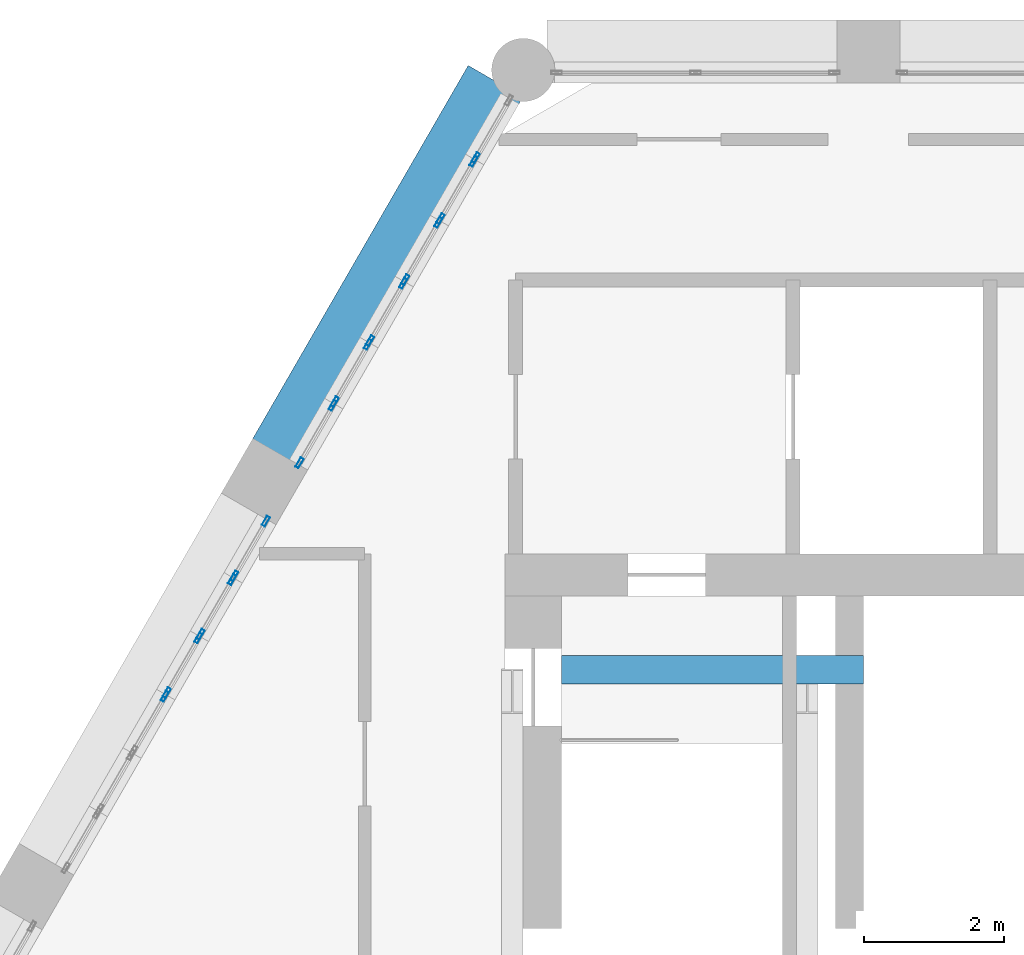
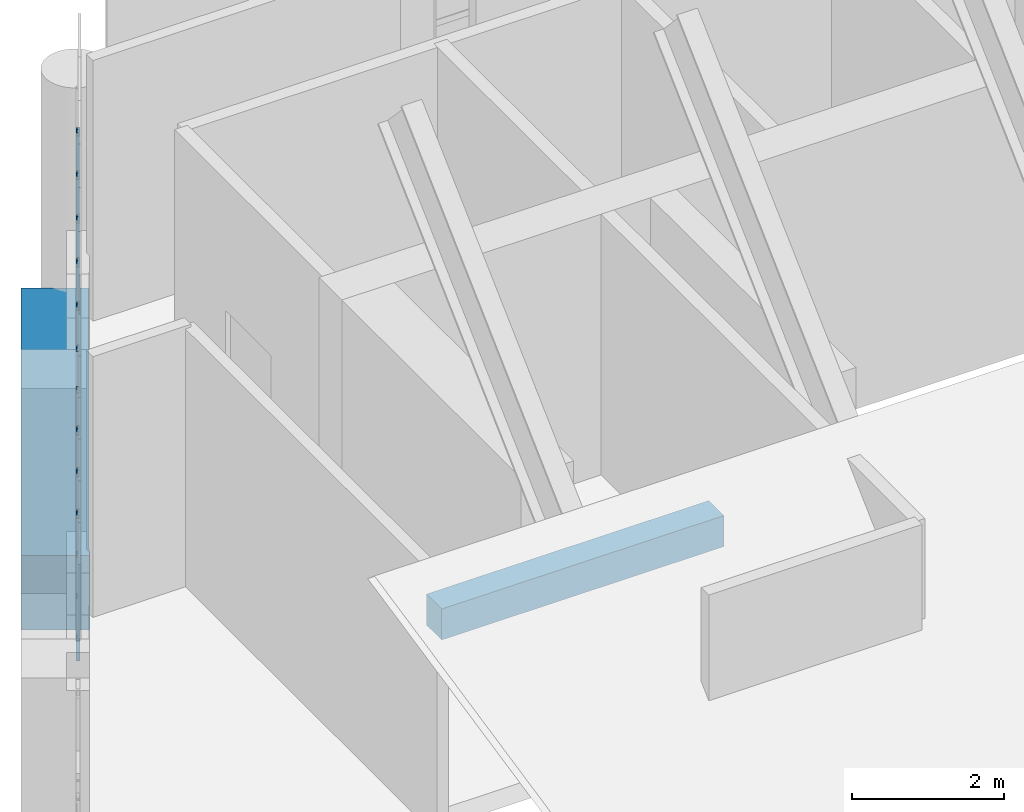
# One storey, part 4 of 16: 18 members, 2 beams, 10 elements without a shape of their own.
"""IFC4 building model written with IfcOpenShell, lengths in metres."""

from ifc_helpers import new_model, si_unit, direction, frame, origin, origin_2d, place, context, subcontext, project, spatial, rectangle, hollow_rectangle, extrude, material, material_profile, profile_set, type_object, element, aggregate, save


model = new_model("IFC4")

# Units and contexts
model_context = context("Model", 3, precision=1e-05, world=origin(), true_north=direction((0.0, 1.0)))
body_context = subcontext(model_context, "Body", "Model", "MODEL_VIEW")
ifc_project = project(units=[si_unit("LENGTHUNIT", "METRE"), si_unit("AREAUNIT", "SQUARE_METRE"), si_unit("VOLUMEUNIT", "CUBIC_METRE"), si_unit("PLANEANGLEUNIT", "RADIAN"), si_unit("MASSUNIT", "GRAM", prefix="KILO")], contexts=[model_context])

# Site, building, storey
site_placement = place(None, origin())
site = spatial("IfcSite", under=ifc_project, at=site_placement, CompositionType="ELEMENT")
building_placement = place(site_placement, origin())
building = spatial("IfcBuilding", under=site, at=building_placement, Name="Ostrander Bayou Hotel Tower", CompositionType="ELEMENT")
storey_placement = place(building_placement, frame((0.0, 0.0, 288.5)))
storey = spatial("IfcBuildingStorey", under=building, at=storey_placement, Name="L71", CompositionType="ELEMENT", Elevation=288.5)

# Curtain wall, member
ifc_material_1 = material(Name="Aluminium and clear glass", Category="aluminium")
curtain_wall_type = type_object("IfcCurtainWallType", Name="CW-CROWN glazed wall", PredefinedType="NOTDEFINED", material=ifc_material_1)
curtain_wall_1_placement = place(storey_placement, origin())
curtain_wall_1 = element("IfcCurtainWall", 1, at=curtain_wall_1_placement, inside=storey, type_object=curtain_wall_type, Name="CW-CROWN L71:NW-1-1", PredefinedType="NOTDEFINED")
ifc_material_2 = material(Name="Aluminium", Category="aluminium")
ifc_material_profile_1 = material_profile(ifc_material_2, hollow_rectangle(XDim=0.050048828125, YDim=0.14990234375, WallThickness=0.00390625, at=origin_2d()))
ifc_profile_set_1 = profile_set([ifc_material_profile_1], Name="Aluminium")
member_type = type_object("IfcMemberType", Name="CW-CR mullion 50 x 150 mm", PredefinedType="MULLION", material=ifc_profile_set_1)
member_1_placement = place(storey_placement, frame((-8.918701171875, 15.339599609375, 1.0), z_axis=(0.0, 0.0, 1.0), x_axis=(0.866026229865, -0.499998569184, 0.0)))
member_1 = element("IfcMember", 2, at=member_1_placement, type_object=member_type, Name="CW-CROWN mullion 2", PredefinedType="MULLION", context=body_context, shape_type="SweptSolid", body=[
    extrude(hollow_rectangle(XDim=0.050048828125, YDim=0.14990234375, WallThickness=0.00390625, at=origin_2d()), origin(), (0.0, 0.0, 1.0), 2.300048828125),
])
aggregate(curtain_wall_1, [member_1])

# Curtain wall, members
curtain_wall_2_placement = place(storey_placement, origin())
curtain_wall_2 = element("IfcCurtainWall", 3, at=curtain_wall_2_placement, inside=storey, type_object=curtain_wall_type, Name="CW-CROWN L71:NW-1-2", PredefinedType="NOTDEFINED")
member_2_placement = place(storey_placement, frame((-8.948486328125, 15.28759765625, 1.0), z_axis=(0.0, 0.0, 1.0), x_axis=(0.866001306597, -0.50004173523, 0.0)))
member_2 = element("IfcMember", 4, at=member_2_placement, type_object=member_type, Name="CW-CROWN mullion 1", PredefinedType="MULLION", context=body_context, shape_type="SweptSolid", body=[
    extrude(hollow_rectangle(XDim=0.050048828125, YDim=0.14990234375, WallThickness=0.00390625, at=origin_2d()), origin(), (0.0, 0.0, 1.0), 2.300048828125),
])
member_3_placement = place(storey_placement, frame((-9.420166015625, 14.470947265625, 1.0), z_axis=(0.0, 0.0, 1.0), x_axis=(0.866001306597, -0.50004173523, 0.0)))
member_3 = element("IfcMember", 5, at=member_3_placement, type_object=member_type, Name="CW-CROWN mullion 2", PredefinedType="MULLION", context=body_context, shape_type="SweptSolid", body=[
    extrude(hollow_rectangle(XDim=0.050048828125, YDim=0.14990234375, WallThickness=0.00390625, at=origin_2d()), origin(), (0.0, 0.0, 1.0), 2.300048828125),
])
aggregate(curtain_wall_2, [member_2, member_3])

curtain_wall_3_placement = place(storey_placement, origin())
curtain_wall_3 = element("IfcCurtainWall", 6, at=curtain_wall_3_placement, inside=storey, type_object=curtain_wall_type, Name="CW-CROWN L71:NW-1-3", PredefinedType="NOTDEFINED")
member_4_placement = place(storey_placement, frame((-9.4501953125, 14.4189453125, 1.0), z_axis=(0.0, 0.0, 1.0), x_axis=(0.866026229865, -0.499998569184, 0.0)))
member_4 = element("IfcMember", 7, at=member_4_placement, type_object=member_type, Name="CW-CROWN mullion 1", PredefinedType="MULLION", context=body_context, shape_type="SweptSolid", body=[
    extrude(hollow_rectangle(XDim=0.050048828125, YDim=0.14990234375, WallThickness=0.00390625, at=origin_2d()), origin(), (0.0, 0.0, 1.0), 2.300048828125),
])
member_5_placement = place(storey_placement, frame((-9.921875, 13.60205078125, 1.0), z_axis=(0.0, 0.0, 1.0), x_axis=(0.866026229865, -0.499998569184, 0.0)))
member_5 = element("IfcMember", 8, at=member_5_placement, type_object=member_type, Name="CW-CROWN mullion 2", PredefinedType="MULLION", context=body_context, shape_type="SweptSolid", body=[
    extrude(hollow_rectangle(XDim=0.050048828125, YDim=0.14990234375, WallThickness=0.00390625, at=origin_2d()), origin(), (0.0, 0.0, 1.0), 2.300048828125),
])
aggregate(curtain_wall_3, [member_4, member_5])

curtain_wall_4_placement = place(storey_placement, origin())
curtain_wall_4 = element("IfcCurtainWall", 9, at=curtain_wall_4_placement, inside=storey, type_object=curtain_wall_type, Name="CW-CROWN L71:NW-1-4", PredefinedType="NOTDEFINED")
member_6_placement = place(storey_placement, frame((-9.951904296875, 13.550048828125, 1.0), z_axis=(0.0, 0.0, 1.0), x_axis=(0.866069391736, -0.499923802893, 0.0)))
member_6 = element("IfcMember", 10, at=member_6_placement, type_object=member_type, Name="CW-CROWN mullion 1", PredefinedType="MULLION", context=body_context, shape_type="SweptSolid", body=[
    extrude(hollow_rectangle(XDim=0.050048828125, YDim=0.14990234375, WallThickness=0.00390625, at=origin_2d()), origin(), (0.0, 0.0, 1.0), 2.300048828125),
])
member_7_placement = place(storey_placement, frame((-10.42333984375, 12.7333984375, 1.0), z_axis=(0.0, 0.0, 1.0), x_axis=(0.866069391736, -0.499923802893, 0.0)))
member_7 = element("IfcMember", 11, at=member_7_placement, type_object=member_type, Name="CW-CROWN mullion 2", PredefinedType="MULLION", context=body_context, shape_type="SweptSolid", body=[
    extrude(hollow_rectangle(XDim=0.050048828125, YDim=0.14990234375, WallThickness=0.00390625, at=origin_2d()), origin(), (0.0, 0.0, 1.0), 2.300048828125),
])
aggregate(curtain_wall_4, [member_6, member_7])

curtain_wall_5_placement = place(storey_placement, origin())
curtain_wall_5 = element("IfcCurtainWall", 12, at=curtain_wall_5_placement, inside=storey, type_object=curtain_wall_type, Name="CW-CROWN L71:NW-1-5", PredefinedType="NOTDEFINED")
member_8_placement = place(storey_placement, frame((-10.453369140625, 12.681396484375, 1.0), z_axis=(0.0, 0.0, 1.0), x_axis=(0.866001306597, -0.50004173523, 0.0)))
member_8 = element("IfcMember", 13, at=member_8_placement, type_object=member_type, Name="CW-CROWN mullion 1", PredefinedType="MULLION", context=body_context, shape_type="SweptSolid", body=[
    extrude(hollow_rectangle(XDim=0.050048828125, YDim=0.14990234375, WallThickness=0.00390625, at=origin_2d()), origin(), (0.0, 0.0, 1.0), 2.300048828125),
])
member_9_placement = place(storey_placement, frame((-10.9248046875, 11.864501953125, 1.0), z_axis=(0.0, 0.0, 1.0), x_axis=(0.866001306597, -0.50004173523, 0.0)))
member_9 = element("IfcMember", 14, at=member_9_placement, type_object=member_type, Name="CW-CROWN mullion 2", PredefinedType="MULLION", context=body_context, shape_type="SweptSolid", body=[
    extrude(hollow_rectangle(XDim=0.050048828125, YDim=0.14990234375, WallThickness=0.00390625, at=origin_2d()), origin(), (0.0, 0.0, 1.0), 2.300048828125),
])
aggregate(curtain_wall_5, [member_8, member_9])

curtain_wall_6_placement = place(storey_placement, origin())
curtain_wall_6 = element("IfcCurtainWall", 15, at=curtain_wall_6_placement, inside=storey, type_object=curtain_wall_type, Name="CW-CROWN L71:NW-1-6", PredefinedType="NOTDEFINED")
member_10_placement = place(storey_placement, frame((-10.954833984375, 11.8125, 1.0), z_axis=(0.0, 0.0, 1.0), x_axis=(0.866026229865, -0.499998569184, 0.0)))
member_10 = element("IfcMember", 16, at=member_10_placement, type_object=member_type, Name="CW-CROWN mullion 1", PredefinedType="MULLION", context=body_context, shape_type="SweptSolid", body=[
    extrude(hollow_rectangle(XDim=0.050048828125, YDim=0.14990234375, WallThickness=0.00390625, at=origin_2d()), origin(), (0.0, 0.0, 1.0), 2.300048828125),
])
member_11_placement = place(storey_placement, frame((-11.426513671875, 10.995849609375, 1.0), z_axis=(0.0, 0.0, 1.0), x_axis=(0.866026229865, -0.499998569184, 0.0)))
member_11 = element("IfcMember", 17, at=member_11_placement, type_object=member_type, Name="CW-CROWN mullion 2", PredefinedType="MULLION", context=body_context, shape_type="SweptSolid", body=[
    extrude(hollow_rectangle(XDim=0.050048828125, YDim=0.14990234375, WallThickness=0.00390625, at=origin_2d()), origin(), (0.0, 0.0, 1.0), 2.300048828125),
])
aggregate(curtain_wall_6, [member_10, member_11])

curtain_wall_7_placement = place(storey_placement, origin())
curtain_wall_7 = element("IfcCurtainWall", 18, at=curtain_wall_7_placement, inside=storey, type_object=curtain_wall_type, Name="CW-CROWN L71:NW-2-1", PredefinedType="NOTDEFINED")
member_12_placement = place(storey_placement, frame((-11.906494140625, 10.164306640625, 1.0), z_axis=(0.0, 0.0, 1.0), x_axis=(0.866022491007, -0.500005045044, 0.0)))
member_12 = element("IfcMember", 19, at=member_12_placement, type_object=member_type, Name="CW-CROWN mullion 1", PredefinedType="MULLION", context=body_context, shape_type="SweptSolid", body=[
    extrude(hollow_rectangle(XDim=0.050048828125, YDim=0.14990234375, WallThickness=0.00390625, at=origin_2d()), origin(), (0.0, 0.0, 1.0), 2.300048828125),
])
member_13_placement = place(storey_placement, frame((-12.3564453125, 9.38525390625, 1.0), z_axis=(0.0, 0.0, 1.0), x_axis=(0.866022491007, -0.500005045044, 0.0)))
member_13 = element("IfcMember", 20, at=member_13_placement, type_object=member_type, Name="CW-CROWN mullion 2", PredefinedType="MULLION", context=body_context, shape_type="SweptSolid", body=[
    extrude(hollow_rectangle(XDim=0.050048828125, YDim=0.14990234375, WallThickness=0.00390625, at=origin_2d()), origin(), (0.0, 0.0, 1.0), 2.300048828125),
])
aggregate(curtain_wall_7, [member_12, member_13])

curtain_wall_8_placement = place(storey_placement, origin())
curtain_wall_8 = element("IfcCurtainWall", 21, at=curtain_wall_8_placement, inside=storey, type_object=curtain_wall_type, Name="CW-CROWN L71:NW-2-2", PredefinedType="NOTDEFINED")
member_14_placement = place(storey_placement, frame((-12.386474609375, 9.333251953125, 1.0), z_axis=(0.0, 0.0, 1.0), x_axis=(0.866022491007, -0.500005045044, 0.0)))
member_14 = element("IfcMember", 22, at=member_14_placement, type_object=member_type, Name="CW-CROWN mullion 1", PredefinedType="MULLION", context=body_context, shape_type="SweptSolid", body=[
    extrude(hollow_rectangle(XDim=0.050048828125, YDim=0.14990234375, WallThickness=0.00390625, at=origin_2d()), origin(), (0.0, 0.0, 1.0), 2.300048828125),
])
member_15_placement = place(storey_placement, frame((-12.836181640625, 8.553955078125, 1.0), z_axis=(0.0, 0.0, 1.0), x_axis=(0.866022491007, -0.500005045044, 0.0)))
member_15 = element("IfcMember", 23, at=member_15_placement, type_object=member_type, Name="CW-CROWN mullion 2", PredefinedType="MULLION", context=body_context, shape_type="SweptSolid", body=[
    extrude(hollow_rectangle(XDim=0.050048828125, YDim=0.14990234375, WallThickness=0.00390625, at=origin_2d()), origin(), (0.0, 0.0, 1.0), 2.300048828125),
])
aggregate(curtain_wall_8, [member_14, member_15])

curtain_wall_9_placement = place(storey_placement, origin())
curtain_wall_9 = element("IfcCurtainWall", 24, at=curtain_wall_9_placement, inside=storey, type_object=curtain_wall_type, Name="CW-CROWN L71:NW-2-3", PredefinedType="NOTDEFINED")
member_16_placement = place(storey_placement, frame((-12.8662109375, 8.501953125, 1.0), z_axis=(0.0, 0.0, 1.0), x_axis=(0.866022491007, -0.500005045044, 0.0)))
member_16 = element("IfcMember", 25, at=member_16_placement, type_object=member_type, Name="CW-CROWN mullion 1", PredefinedType="MULLION", context=body_context, shape_type="SweptSolid", body=[
    extrude(hollow_rectangle(XDim=0.050048828125, YDim=0.14990234375, WallThickness=0.00390625, at=origin_2d()), origin(), (0.0, 0.0, 1.0), 2.300048828125),
])
member_17_placement = place(storey_placement, frame((-13.316162109375, 7.722900390625, 1.0), z_axis=(0.0, 0.0, 1.0), x_axis=(0.866022491007, -0.500005045044, 0.0)))
member_17 = element("IfcMember", 26, at=member_17_placement, type_object=member_type, Name="CW-CROWN mullion 2", PredefinedType="MULLION", context=body_context, shape_type="SweptSolid", body=[
    extrude(hollow_rectangle(XDim=0.050048828125, YDim=0.14990234375, WallThickness=0.00390625, at=origin_2d()), origin(), (0.0, 0.0, 1.0), 2.300048828125),
])
aggregate(curtain_wall_9, [member_16, member_17])

# Curtain wall, member
curtain_wall_10_placement = place(storey_placement, origin())
curtain_wall_10 = element("IfcCurtainWall", 27, at=curtain_wall_10_placement, inside=storey, type_object=curtain_wall_type, Name="CW-CROWN L71:NW-2-4", PredefinedType="NOTDEFINED")
member_18_placement = place(storey_placement, frame((-13.34619140625, 7.6708984375, 1.0), z_axis=(0.0, 0.0, 1.0), x_axis=(0.866048535364, -0.499959932788, 0.0)))
member_18 = element("IfcMember", 28, at=member_18_placement, type_object=member_type, Name="CW-CROWN mullion 1", PredefinedType="MULLION", context=body_context, shape_type="SweptSolid", body=[
    extrude(hollow_rectangle(XDim=0.050048828125, YDim=0.14990234375, WallThickness=0.00390625, at=origin_2d()), origin(), (0.0, 0.0, 1.0), 2.300048828125),
])
aggregate(curtain_wall_10, [member_18])

# Beams
ifc_material_3 = material(Name="Concrete f'c 60 MPa", Category="concrete")
ifc_material_profile_2 = material_profile(ifc_material_3, rectangle(XDim=0.39990234375, YDim=0.5, at=origin_2d()))
ifc_profile_set_2 = profile_set([ifc_material_profile_2], Name="Concrete f'c 60 MPa")
beam_type_1 = type_object("IfcBeamType", Name="LD1 landing support beam 400 x 500 mm f'c 60 MPa", PredefinedType="BEAM", material=ifc_profile_set_2)
beam_1_placement = place(storey_placement, frame((-7.699951171875, 8.050048828125, -0.550048828125), z_axis=(1.0, 0.0, 0.0), x_axis=(0.0, 1.0, 0.0)))
element("IfcBeam", 29, at=beam_1_placement, inside=storey, type_object=beam_type_1, Name="LD1 L71 LANDING BEAM 001", PredefinedType="BEAM", context=body_context, shape_type="SweptSolid", body=[
    extrude(rectangle(XDim=0.39990234375, YDim=0.5, at=origin_2d()), origin(), (0.0, 0.0, 1.0), 4.300048828125),
])
ifc_material_4 = material(Name="Concrete f'c 60 MPa", Category="concrete")
ifc_material_profile_3 = material_profile(ifc_material_4, rectangle(XDim=0.89990234375, YDim=1.199951171875, at=origin_2d()))
ifc_profile_set_3 = profile_set([ifc_material_profile_3], Name="Concrete f'c 60 MPa")
beam_type_2 = type_object("IfcBeamType", Name="SP4 spandrel beam 900 x 1200 mm f'c 60 MPa", PredefinedType="SPANDREL", material=ifc_profile_set_3)
beam_2_placement = place(storey_placement, frame((-8.63671875, 16.427978515625, -0.60009765625), z_axis=(-0.499984362083, -0.866034432152, 0.0), x_axis=(0.866034432152, -0.499984362083, 0.0)))
element("IfcBeam", 30, at=beam_2_placement, inside=storey, type_object=beam_type_2, Name="SP4 L71 NW-1", PredefinedType="SPANDREL", context=body_context, shape_type="SweptSolid", body=[
    extrude(rectangle(XDim=0.89990234375, YDim=1.199951171875, at=origin_2d()), origin(), (0.0, 0.0, 1.0), 6.159423828125),
])

save(model, "model.ifc")
